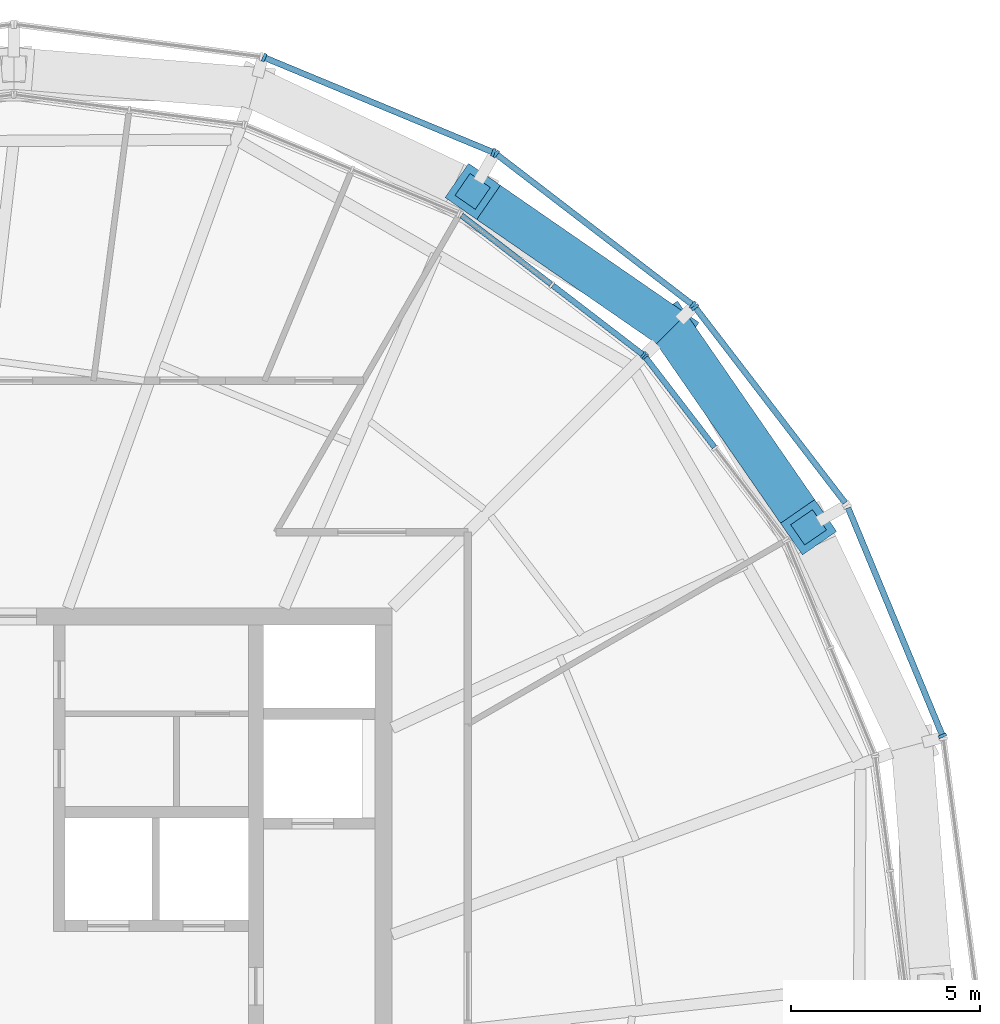
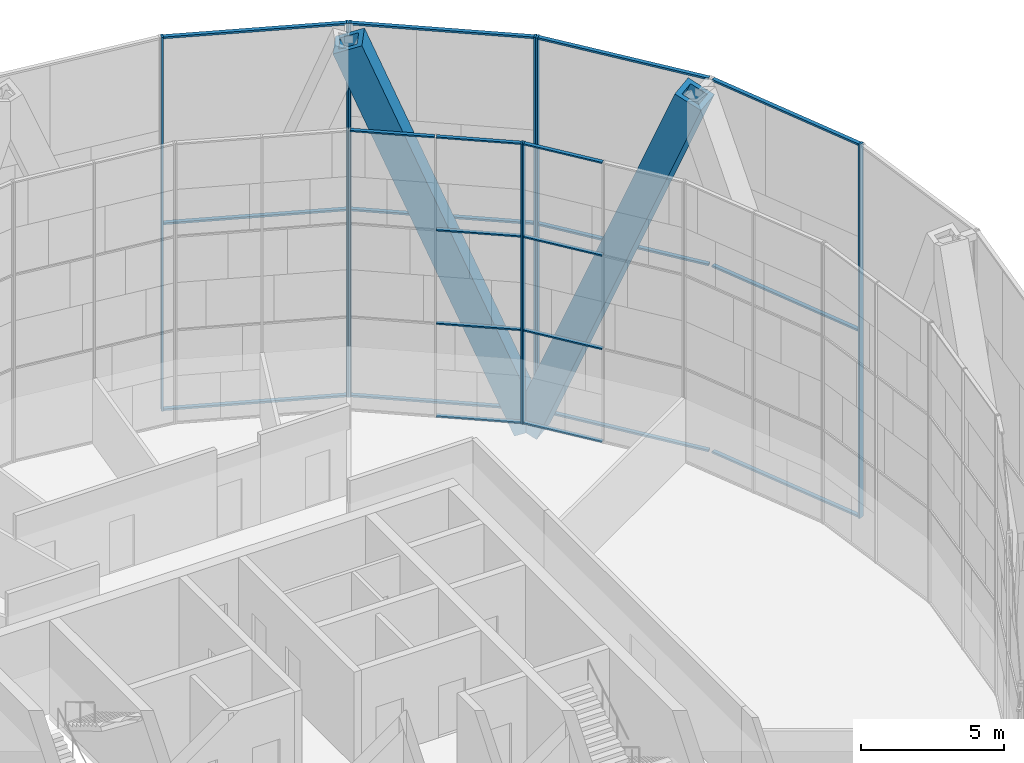
# One storey, part 10 of 26: 31 members, 6 elements without a shape of their own.
"""IFC4 building model written with IfcOpenShell, lengths in metres."""

from ifc_helpers import new_model, si_unit, direction, frame, origin, origin_2d, place, context, subcontext, project, spatial, rectangle, hollow_rectangle, extrude, material, material_profile, profile_set, type_object, element, aggregate, save


model = new_model("IFC4")

# Units and contexts
model_context = context("Model", 3, precision=1e-05, world=origin(), true_north=direction((0.0, 1.0)))
body_context = subcontext(model_context, "Body", "Model", "MODEL_VIEW")
ifc_project = project(units=[si_unit("LENGTHUNIT", "METRE"), si_unit("AREAUNIT", "SQUARE_METRE"), si_unit("VOLUMEUNIT", "CUBIC_METRE"), si_unit("PLANEANGLEUNIT", "RADIAN"), si_unit("MASSUNIT", "GRAM", prefix="KILO")], contexts=[model_context])

# Site, building, storey
site_placement = place(None, origin())
site = spatial("IfcSite", under=ifc_project, at=site_placement, CompositionType="ELEMENT")
building_placement = place(site_placement, origin())
building = spatial("IfcBuilding", under=site, at=building_placement, Name="Golbaran Civic Tower", CompositionType="ELEMENT")
storey_placement = place(building_placement, frame((0.0, 0.0, 199.0)))
storey = spatial("IfcBuildingStorey", under=building, at=storey_placement, Name="L48", CompositionType="ELEMENT", Elevation=199.0)

# Members
ifc_material_1 = material(Name="Steel S355", Category="steel")
ifc_material_profile_1 = material_profile(ifc_material_1, hollow_rectangle(XDim=1.10009765625, YDim=1.10009765625, WallThickness=0.199951171875, at=origin_2d()), Name="BOX 1100x1100x200")
ifc_profile_set_1 = profile_set([ifc_material_profile_1], Name="Steel S355")
member_type_1 = type_object("IfcMemberType", Name="DIAGRID DIAGONAL BOX 1100x1100x200", PredefinedType="BRACE", material=ifc_profile_set_1)
for number, where, z_axis, x_axis, name in (
    (1, (17.379150390625, 17.379150390625, -0.7099609375), (-0.30484436274, 0.210566399983, 0.928833518831), (-0.568334412901, -0.822797663531, 0.0), "Diagonal D11-01R L48-L52"),
    (2, (17.379150390625, 17.379150390625, -0.7099609375), (0.210566399983, -0.30484436274, 0.928833518831), (0.822797663531, 0.568334412901, 0.0), "Diagonal D11-01L L48-L52"),
):
    element("IfcMember", number, at=place(storey_placement, frame(where, z_axis=z_axis, x_axis=x_axis)), inside=storey, type_object=member_type_1, Name=name, PredefinedType="BRACE", context=body_context, shape_type="SweptSolid", body=[
        extrude(hollow_rectangle(XDim=1.10009765625, YDim=1.10009765625, WallThickness=0.199951171875, at=origin_2d()), origin(), (0.0, 0.0, 1.0), 17.225830078125),
    ])

# Curtain wall, member
ifc_material_2 = material(Name="Aluminium and glass", Category="aluminium")
curtain_wall_type_1 = type_object("IfcCurtainWallType", Name="INNER SKIN CURTAIN WALL EXECUTIVE", PredefinedType="NOTDEFINED", material=ifc_material_2)
curtain_wall_1_placement = place(storey_placement, origin())
curtain_wall_1 = element("IfcCurtainWall", 3, at=curtain_wall_1_placement, inside=storey, type_object=curtain_wall_type_1, Name="Inner skin L48 facet 3 CW2", ObjectType="INNER SKIN", PredefinedType="USERDEFINED")
ifc_material_3 = material(Name="Aluminium", Category="aluminium")
ifc_material_profile_2 = material_profile(ifc_material_3, rectangle(XDim=0.199951171875, YDim=0.06005859375, at=origin_2d()), Name="INNER SKIN CURTAIN WALL EXECUTIVE MULLION")
ifc_profile_set_2 = profile_set([ifc_material_profile_2], Name="Aluminium")
member_type_2 = type_object("IfcMemberType", Name="INNER SKIN CURTAIN WALL EXECUTIVE MULLION", PredefinedType="MULLION", material=ifc_profile_set_2)
member_1_placement = place(storey_placement, frame((16.6826171875, 16.640625, 0.0), z_axis=(0.0, 0.0, 1.0), x_axis=(-0.793353340259, -0.60876142905, 0.0)))
member_1 = element("IfcMember", 4, at=member_1_placement, type_object=member_type_2, Name="CW2 mullion 3", PredefinedType="MULLION", context=body_context, shape_type="SweptSolid", body=[
    extrude(rectangle(XDim=0.199951171875, YDim=0.06005859375, at=origin_2d()), origin(), (0.0, 0.0, 1.0), 12.0),
])

curtain_wall_2_placement = place(storey_placement, origin())
curtain_wall_2 = element("IfcCurtainWall", 5, at=curtain_wall_2_placement, inside=storey, type_object=curtain_wall_type_1, Name="Inner skin L48 facet 4 CW2", ObjectType="INNER SKIN", PredefinedType="USERDEFINED")
member_2_placement = place(storey_placement, frame((16.640625, 16.6826171875, 0.0), z_axis=(0.0, 0.0, 1.0), x_axis=(-0.60876142905, -0.793353340259, 0.0)))
member_2 = element("IfcMember", 6, at=member_2_placement, type_object=member_type_2, Name="CW2 mullion 1", PredefinedType="MULLION", context=body_context, shape_type="SweptSolid", body=[
    extrude(rectangle(XDim=0.199951171875, YDim=0.06005859375, at=origin_2d()), origin(), (0.0, 0.0, 1.0), 12.0),
])

# Member
ifc_material_profile_3 = material_profile(ifc_material_3, rectangle(XDim=0.14990234375, YDim=0.06005859375, at=origin_2d()), Name="INNER SKIN CURTAIN WALL EXECUTIVE TRANSOM")
ifc_profile_set_3 = profile_set([ifc_material_profile_3], Name="Aluminium")
member_type_3 = type_object("IfcMemberType", Name="INNER SKIN CURTAIN WALL EXECUTIVE TRANSOM", PredefinedType="USERDEFINED", material=ifc_profile_set_3)
member_3_placement = place(storey_placement, frame((18.518798828125, 14.247802734375, 0.030029296875), z_axis=(-0.60879365538, 0.793328611087, 0.0), x_axis=(-0.793328611087, -0.60879365538, 0.0)))
member_3 = element("IfcMember", 7, at=member_3_placement, type_object=member_type_3, Name="CW2 transom 2.1", ObjectType="TRANSOM", PredefinedType="USERDEFINED", context=body_context, shape_type="SweptSolid", body=[
    extrude(rectangle(XDim=0.14990234375, YDim=0.06005859375, at=origin_2d()), origin(), (0.0, 0.0, 1.0), 2.986083984375),
])

member_4_placement = place(storey_placement, frame((18.518798828125, 14.247802734375, 4.0), z_axis=(-0.60879365538, 0.793328611087, 0.0), x_axis=(-0.793328611087, -0.60879365538, 0.0)))
member_4 = element("IfcMember", 8, at=member_4_placement, type_object=member_type_3, Name="CW2 transom 2.2", ObjectType="TRANSOM", PredefinedType="USERDEFINED", context=body_context, shape_type="SweptSolid", body=[
    extrude(rectangle(XDim=0.14990234375, YDim=0.06005859375, at=origin_2d()), origin(), (0.0, 0.0, 1.0), 2.986083984375),
])

member_5_placement = place(storey_placement, frame((18.518798828125, 14.247802734375, 8.0), z_axis=(-0.60879365538, 0.793328611087, 0.0), x_axis=(-0.793328611087, -0.60879365538, 0.0)))
member_5 = element("IfcMember", 9, at=member_5_placement, type_object=member_type_3, Name="CW2 transom 2.3", ObjectType="TRANSOM", PredefinedType="USERDEFINED", context=body_context, shape_type="SweptSolid", body=[
    extrude(rectangle(XDim=0.14990234375, YDim=0.06005859375, at=origin_2d()), origin(), (0.0, 0.0, 1.0), 2.986083984375),
])

member_6_placement = place(storey_placement, frame((18.518798828125, 14.247802734375, 11.969970703125), z_axis=(-0.60879365538, 0.793328611087, 0.0), x_axis=(-0.793328611087, -0.60879365538, 0.0)))
member_6 = element("IfcMember", 10, at=member_6_placement, type_object=member_type_3, Name="CW2 transom 2.4", ObjectType="TRANSOM", PredefinedType="USERDEFINED", context=body_context, shape_type="SweptSolid", body=[
    extrude(rectangle(XDim=0.14990234375, YDim=0.06005859375, at=origin_2d()), origin(), (0.0, 0.0, 1.0), 2.986083984375),
])

aggregate(curtain_wall_1, [member_1, member_3, member_4, member_5, member_6])

member_7_placement = place(storey_placement, frame((16.61669921875, 16.700927734375, 0.030029296875), z_axis=(-0.793328611087, 0.60879365538, 0.0), x_axis=(-0.60879365538, -0.793328611087, 0.0)))
member_7 = element("IfcMember", 11, at=member_7_placement, type_object=member_type_3, Name="CW2 transom 1.1", ObjectType="TRANSOM", PredefinedType="USERDEFINED", context=body_context, shape_type="SweptSolid", body=[
    extrude(rectangle(XDim=0.14990234375, YDim=0.06005859375, at=origin_2d()), origin(), (0.0, 0.0, 1.0), 2.986083984375),
])

member_8_placement = place(storey_placement, frame((16.61669921875, 16.700927734375, 4.0), z_axis=(-0.793328611087, 0.60879365538, 0.0), x_axis=(-0.60879365538, -0.793328611087, 0.0)))
member_8 = element("IfcMember", 12, at=member_8_placement, type_object=member_type_3, Name="CW2 transom 1.2", ObjectType="TRANSOM", PredefinedType="USERDEFINED", context=body_context, shape_type="SweptSolid", body=[
    extrude(rectangle(XDim=0.14990234375, YDim=0.06005859375, at=origin_2d()), origin(), (0.0, 0.0, 1.0), 2.986083984375),
])

member_9_placement = place(storey_placement, frame((16.61669921875, 16.700927734375, 8.0), z_axis=(-0.793328611087, 0.60879365538, 0.0), x_axis=(-0.60879365538, -0.793328611087, 0.0)))
member_9 = element("IfcMember", 13, at=member_9_placement, type_object=member_type_3, Name="CW2 transom 1.3", ObjectType="TRANSOM", PredefinedType="USERDEFINED", context=body_context, shape_type="SweptSolid", body=[
    extrude(rectangle(XDim=0.14990234375, YDim=0.06005859375, at=origin_2d()), origin(), (0.0, 0.0, 1.0), 2.986083984375),
])

member_10_placement = place(storey_placement, frame((16.61669921875, 16.700927734375, 11.969970703125), z_axis=(-0.793328611087, 0.60879365538, 0.0), x_axis=(-0.60879365538, -0.793328611087, 0.0)))
member_10 = element("IfcMember", 14, at=member_10_placement, type_object=member_type_3, Name="CW2 transom 1.4", ObjectType="TRANSOM", PredefinedType="USERDEFINED", context=body_context, shape_type="SweptSolid", body=[
    extrude(rectangle(XDim=0.14990234375, YDim=0.06005859375, at=origin_2d()), origin(), (0.0, 0.0, 1.0), 2.986083984375),
])

member_11_placement = place(storey_placement, frame((14.2001953125, 18.55517578125, 11.969970703125), z_axis=(-0.793358911257, 0.608754168716, 0.0), x_axis=(-0.608754168716, -0.793358911257, 0.0)))
member_11 = element("IfcMember", 15, at=member_11_placement, type_object=member_type_3, Name="CW2 transom 2.4", ObjectType="TRANSOM", PredefinedType="USERDEFINED", context=body_context, shape_type="SweptSolid", body=[
    extrude(rectangle(XDim=0.14990234375, YDim=0.06005859375, at=origin_2d()), origin(), (0.0, 0.0, 1.0), 2.986328125),
])

aggregate(curtain_wall_2, [member_2, member_7, member_8, member_9, member_10, member_11])

# Curtain wall, member
curtain_wall_type_2 = type_object("IfcCurtainWallType", Name="OUTER SKIN TERRACOTTA SCREEN", PredefinedType="NOTDEFINED", material=ifc_material_2)
curtain_wall_3_placement = place(storey_placement, origin())
curtain_wall_3 = element("IfcCurtainWall", 16, at=curtain_wall_3_placement, inside=storey, type_object=curtain_wall_type_2, Name="Outer skin L48 facet 2 CW3", ObjectType="OUTER SKIN", PredefinedType="USERDEFINED")
ifc_material_profile_4 = material_profile(ifc_material_3, rectangle(XDim=0.219970703125, YDim=0.080078125, at=origin_2d()), Name="OUTER SKIN TERRACOTTA SCREEN MULLION")
ifc_profile_set_4 = profile_set([ifc_material_profile_4], Name="Aluminium")
member_type_4 = type_object("IfcMemberType", Name="OUTER SKIN TERRACOTTA SCREEN MULLION", PredefinedType="MULLION", material=ifc_profile_set_4)
member_12_placement = place(storey_placement, frame((24.546142578125, 6.6181640625, -0.7099609375), z_axis=(0.0, 0.0, 1.0), x_axis=(-0.923879532478, -0.382683432446, 0.0)))
member_12 = element("IfcMember", 17, at=member_12_placement, type_object=member_type_4, Name="CW3 mullion 1", PredefinedType="MULLION", context=body_context, shape_type="SweptSolid", body=[
    extrude(rectangle(XDim=0.219970703125, YDim=0.080078125, at=origin_2d()), origin(), (0.0, 0.0, 1.0), 16.0),
])

curtain_wall_4_placement = place(storey_placement, origin())
curtain_wall_4 = element("IfcCurtainWall", 18, at=curtain_wall_4_placement, inside=storey, type_object=curtain_wall_type_2, Name="Outer skin L48 facet 3 CW3", ObjectType="OUTER SKIN", PredefinedType="USERDEFINED")
member_13_placement = place(storey_placement, frame((18.004638671875, 17.948486328125, -0.7099609375), z_axis=(0.0, 0.0, 1.0), x_axis=(-0.793353340323, -0.608761428967, 0.0)))
member_13 = element("IfcMember", 19, at=member_13_placement, type_object=member_type_4, Name="CW3 mullion 2", PredefinedType="MULLION", context=body_context, shape_type="SweptSolid", body=[
    extrude(rectangle(XDim=0.219970703125, YDim=0.080078125, at=origin_2d()), origin(), (0.0, 0.0, 1.0), 16.0),
])

# Curtain wall, members
curtain_wall_5_placement = place(storey_placement, origin())
curtain_wall_5 = element("IfcCurtainWall", 20, at=curtain_wall_5_placement, inside=storey, type_object=curtain_wall_type_2, Name="Outer skin L48 facet 4 CW3", ObjectType="OUTER SKIN", PredefinedType="USERDEFINED")
member_14_placement = place(storey_placement, frame((17.948486328125, 18.004638671875, -0.7099609375), z_axis=(0.0, 0.0, 1.0), x_axis=(-0.608761428967, -0.793353340323, 0.0)))
member_14 = element("IfcMember", 21, at=member_14_placement, type_object=member_type_4, Name="CW3 mullion 1", PredefinedType="MULLION", context=body_context, shape_type="SweptSolid", body=[
    extrude(rectangle(XDim=0.219970703125, YDim=0.080078125, at=origin_2d()), origin(), (0.0, 0.0, 1.0), 16.0),
])
member_15_placement = place(storey_placement, frame((12.745849609375, 21.996826171875, -0.7099609375), z_axis=(0.0, 0.0, 1.0), x_axis=(-0.608761428967, -0.793353340323, 0.0)))
member_15 = element("IfcMember", 22, at=member_15_placement, type_object=member_type_4, Name="CW3 mullion 2", PredefinedType="MULLION", context=body_context, shape_type="SweptSolid", body=[
    extrude(rectangle(XDim=0.219970703125, YDim=0.080078125, at=origin_2d()), origin(), (0.0, 0.0, 1.0), 16.0),
])

curtain_wall_6_placement = place(storey_placement, origin())
curtain_wall_6 = element("IfcCurtainWall", 23, at=curtain_wall_6_placement, inside=storey, type_object=curtain_wall_type_2, Name="Outer skin L48 facet 5 CW3", ObjectType="OUTER SKIN", PredefinedType="USERDEFINED")
member_16_placement = place(storey_placement, frame((12.677001953125, 22.03662109375, -0.7099609375), z_axis=(0.0, 0.0, 1.0), x_axis=(-0.382683432446, -0.923879532478, 0.0)))
member_16 = element("IfcMember", 24, at=member_16_placement, type_object=member_type_4, Name="CW3 mullion 1", PredefinedType="MULLION", context=body_context, shape_type="SweptSolid", body=[
    extrude(rectangle(XDim=0.219970703125, YDim=0.080078125, at=origin_2d()), origin(), (0.0, 0.0, 1.0), 16.0),
])
member_17_placement = place(storey_placement, frame((6.6181640625, 24.546142578125, -0.7099609375), z_axis=(0.0, 0.0, 1.0), x_axis=(-0.382683432446, -0.923879532478, 0.0)))
member_17 = element("IfcMember", 25, at=member_17_placement, type_object=member_type_4, Name="CW3 mullion 2", PredefinedType="MULLION", context=body_context, shape_type="SweptSolid", body=[
    extrude(rectangle(XDim=0.219970703125, YDim=0.080078125, at=origin_2d()), origin(), (0.0, 0.0, 1.0), 16.0),
])

# Member
ifc_material_profile_5 = material_profile(ifc_material_3, rectangle(XDim=0.159912109375, YDim=0.080078125, at=origin_2d()), Name="OUTER SKIN TERRACOTTA SCREEN TRANSOM")
ifc_profile_set_5 = profile_set([ifc_material_profile_5], Name="Aluminium")
member_type_5 = type_object("IfcMemberType", Name="OUTER SKIN TERRACOTTA SCREEN TRANSOM", PredefinedType="USERDEFINED", material=ifc_profile_set_5)
member_18_placement = place(storey_placement, frame((24.531005859375, 6.6552734375, -0.669921875), z_axis=(-0.382682426517, 0.923879949147, 0.0), x_axis=(-0.923879949147, -0.382682426517, 0.0)))
member_18 = element("IfcMember", 26, at=member_18_placement, type_object=member_type_5, Name="CW3 transom 1.1", ObjectType="TRANSOM", PredefinedType="USERDEFINED", context=body_context, shape_type="SweptSolid", body=[
    extrude(rectangle(XDim=0.159912109375, YDim=0.080078125, at=origin_2d()), origin(), (0.0, 0.0, 1.0), 6.47802734375),
])

member_19_placement = place(storey_placement, frame((24.531005859375, 6.6552734375, 7.2900390625), z_axis=(-0.382682426517, 0.923879949147, 0.0), x_axis=(-0.923879949147, -0.382682426517, 0.0)))
member_19 = element("IfcMember", 27, at=member_19_placement, type_object=member_type_5, Name="CW3 transom 1.2", ObjectType="TRANSOM", PredefinedType="USERDEFINED", context=body_context, shape_type="SweptSolid", body=[
    extrude(rectangle(XDim=0.159912109375, YDim=0.080078125, at=origin_2d()), origin(), (0.0, 0.0, 1.0), 6.47802734375),
])

member_20_placement = place(storey_placement, frame((24.531005859375, 6.6552734375, 15.25), z_axis=(-0.382682426517, 0.923879949147, 0.0), x_axis=(-0.923879949147, -0.382682426517, 0.0)))
member_20 = element("IfcMember", 28, at=member_20_placement, type_object=member_type_5, Name="CW3 transom 1.3", ObjectType="TRANSOM", PredefinedType="USERDEFINED", context=body_context, shape_type="SweptSolid", body=[
    extrude(rectangle(XDim=0.159912109375, YDim=0.080078125, at=origin_2d()), origin(), (0.0, 0.0, 1.0), 6.47802734375),
])

aggregate(curtain_wall_3, [member_12, member_18, member_19, member_20])

member_21_placement = place(storey_placement, frame((21.97265625, 12.777587890625, -0.669921875), z_axis=(-0.608779620859, 0.793339380863, 0.0), x_axis=(-0.793339380863, -0.608779620859, 0.0)))
member_21 = element("IfcMember", 29, at=member_21_placement, type_object=member_type_5, Name="CW3 transom 1.1", ObjectType="TRANSOM", PredefinedType="USERDEFINED", context=body_context, shape_type="SweptSolid", body=[
    extrude(rectangle(XDim=0.159912109375, YDim=0.080078125, at=origin_2d()), origin(), (0.0, 0.0, 1.0), 6.477783203125),
])

member_22_placement = place(storey_placement, frame((21.97265625, 12.777587890625, 7.2900390625), z_axis=(-0.608779620859, 0.793339380863, 0.0), x_axis=(-0.793339380863, -0.608779620859, 0.0)))
member_22 = element("IfcMember", 30, at=member_22_placement, type_object=member_type_5, Name="CW3 transom 1.2", ObjectType="TRANSOM", PredefinedType="USERDEFINED", context=body_context, shape_type="SweptSolid", body=[
    extrude(rectangle(XDim=0.159912109375, YDim=0.080078125, at=origin_2d()), origin(), (0.0, 0.0, 1.0), 6.477783203125),
])

member_23_placement = place(storey_placement, frame((21.97265625, 12.777587890625, 15.25), z_axis=(-0.608779620859, 0.793339380863, 0.0), x_axis=(-0.793339380863, -0.608779620859, 0.0)))
member_23 = element("IfcMember", 31, at=member_23_placement, type_object=member_type_5, Name="CW3 transom 1.3", ObjectType="TRANSOM", PredefinedType="USERDEFINED", context=body_context, shape_type="SweptSolid", body=[
    extrude(rectangle(XDim=0.159912109375, YDim=0.080078125, at=origin_2d()), origin(), (0.0, 0.0, 1.0), 6.477783203125),
])

aggregate(curtain_wall_4, [member_13, member_21, member_22, member_23])

member_24_placement = place(storey_placement, frame((17.916748046875, 18.029052734375, -0.669921875), z_axis=(-0.793339380863, 0.608779620859, 0.0), x_axis=(-0.608779620859, -0.793339380863, 0.0)))
member_24 = element("IfcMember", 32, at=member_24_placement, type_object=member_type_5, Name="CW3 transom 1.1", ObjectType="TRANSOM", PredefinedType="USERDEFINED", context=body_context, shape_type="SweptSolid", body=[
    extrude(rectangle(XDim=0.159912109375, YDim=0.080078125, at=origin_2d()), origin(), (0.0, 0.0, 1.0), 6.477783203125),
])

member_25_placement = place(storey_placement, frame((17.916748046875, 18.029052734375, 7.2900390625), z_axis=(-0.793339380863, 0.608779620859, 0.0), x_axis=(-0.608779620859, -0.793339380863, 0.0)))
member_25 = element("IfcMember", 33, at=member_25_placement, type_object=member_type_5, Name="CW3 transom 1.2", ObjectType="TRANSOM", PredefinedType="USERDEFINED", context=body_context, shape_type="SweptSolid", body=[
    extrude(rectangle(XDim=0.159912109375, YDim=0.080078125, at=origin_2d()), origin(), (0.0, 0.0, 1.0), 6.477783203125),
])

member_26_placement = place(storey_placement, frame((17.916748046875, 18.029052734375, 15.25), z_axis=(-0.793339380863, 0.608779620859, 0.0), x_axis=(-0.608779620859, -0.793339380863, 0.0)))
member_26 = element("IfcMember", 34, at=member_26_placement, type_object=member_type_5, Name="CW3 transom 1.3", ObjectType="TRANSOM", PredefinedType="USERDEFINED", context=body_context, shape_type="SweptSolid", body=[
    extrude(rectangle(XDim=0.159912109375, YDim=0.080078125, at=origin_2d()), origin(), (0.0, 0.0, 1.0), 6.477783203125),
])

aggregate(curtain_wall_5, [member_14, member_15, member_24, member_25, member_26])

member_27_placement = place(storey_placement, frame((12.64013671875, 22.052001953125, -0.669921875), z_axis=(-0.923879949147, 0.382682426517, 0.0), x_axis=(-0.382682426517, -0.923879949147, 0.0)))
member_27 = element("IfcMember", 35, at=member_27_placement, type_object=member_type_5, Name="CW3 transom 1.1", ObjectType="TRANSOM", PredefinedType="USERDEFINED", context=body_context, shape_type="SweptSolid", body=[
    extrude(rectangle(XDim=0.159912109375, YDim=0.080078125, at=origin_2d()), origin(), (0.0, 0.0, 1.0), 6.47802734375),
])

member_28_placement = place(storey_placement, frame((12.64013671875, 22.052001953125, 7.2900390625), z_axis=(-0.923879949147, 0.382682426517, 0.0), x_axis=(-0.382682426517, -0.923879949147, 0.0)))
member_28 = element("IfcMember", 36, at=member_28_placement, type_object=member_type_5, Name="CW3 transom 1.2", ObjectType="TRANSOM", PredefinedType="USERDEFINED", context=body_context, shape_type="SweptSolid", body=[
    extrude(rectangle(XDim=0.159912109375, YDim=0.080078125, at=origin_2d()), origin(), (0.0, 0.0, 1.0), 6.47802734375),
])

member_29_placement = place(storey_placement, frame((12.64013671875, 22.052001953125, 15.25), z_axis=(-0.923879949147, 0.382682426517, 0.0), x_axis=(-0.382682426517, -0.923879949147, 0.0)))
member_29 = element("IfcMember", 37, at=member_29_placement, type_object=member_type_5, Name="CW3 transom 1.3", ObjectType="TRANSOM", PredefinedType="USERDEFINED", context=body_context, shape_type="SweptSolid", body=[
    extrude(rectangle(XDim=0.159912109375, YDim=0.080078125, at=origin_2d()), origin(), (0.0, 0.0, 1.0), 6.47802734375),
])

aggregate(curtain_wall_6, [member_16, member_17, member_27, member_28, member_29])

save(model, "model.ifc")
